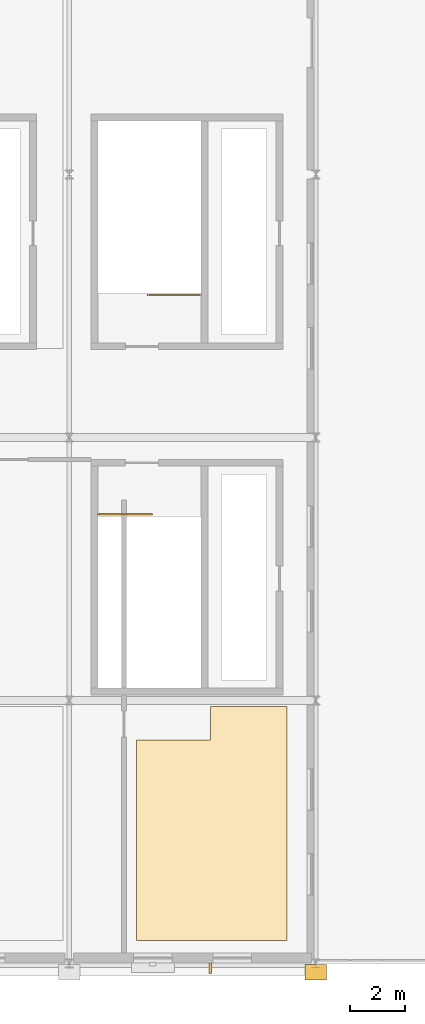
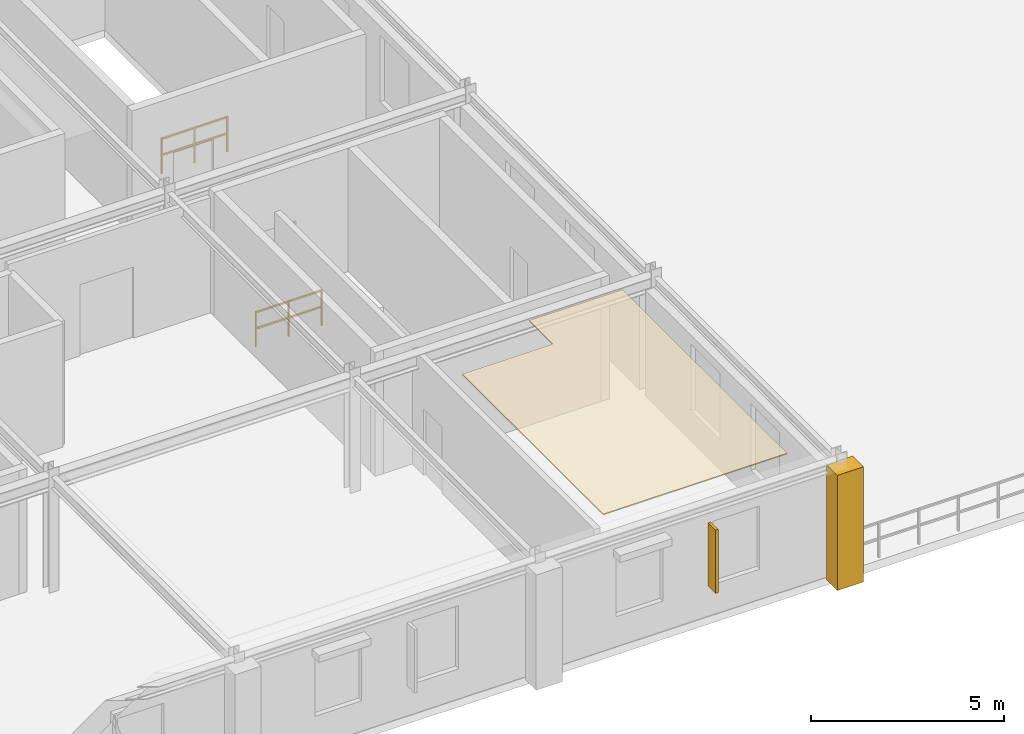
# One storey, part 46 of 52: 2 coverings, 2 railings, 1 shading device.
"""IFC4 building model written with IfcOpenShell, lengths in metres."""

from ifc_helpers import new_model, si_unit, direction, frame, origin, origin_2d, place, context, subcontext, project, spatial, polyline, rectangle, outline, extrude, material, layer, layer_set, type_object, element, save


model = new_model("IFC4")

# Units and contexts
model_context = context("Model", 3, precision=1e-05, world=origin(), true_north=direction((0.0, 1.0)))
body_context = subcontext(model_context, "Body", "Model", "MODEL_VIEW")
ifc_project = project(units=[si_unit("LENGTHUNIT", "METRE"), si_unit("AREAUNIT", "SQUARE_METRE"), si_unit("VOLUMEUNIT", "CUBIC_METRE"), si_unit("PLANEANGLEUNIT", "RADIAN"), si_unit("MASSUNIT", "GRAM", prefix="KILO")], contexts=[model_context])

# Site, building, storey
site_placement = place(None, origin())
site = spatial("IfcSite", under=ifc_project, at=site_placement, CompositionType="ELEMENT")
building_placement = place(site_placement, origin())
building = spatial("IfcBuilding", under=site, at=building_placement, Name="Myrtia Square Station", CompositionType="ELEMENT")
storey_placement = place(building_placement, frame((0.0, 0.0, 15.0)))
storey = spatial("IfcBuildingStorey", under=building, at=storey_placement, Name="L03", CompositionType="ELEMENT", Elevation=15.0)

# Coverings
ifc_material_1 = material(Name="Pentelic marble ashlar", Category="masonry")
ifc_layer_1 = layer(ifc_material_1, 0.4599609375, Name="Pentelic marble ashlar")
ifc_layer_set_1 = layer_set([ifc_layer_1], Name="Pentelic marble ashlar")
covering_type_1 = type_object("IfcCoveringType", Name="COV-ARCH-ASHLAR", PredefinedType="CLADDING", material=ifc_layer_set_1)
covering_1_placement = place(storey_placement, frame((144.0, -0.320068359375, -0.0400390625), z_axis=(0.0, 0.0, 1.0), x_axis=(1.0, 0.0, 0.0)))
element("IfcCovering", 1, at=covering_1_placement, inside=storey, type_object=covering_type_1, Name="Classical Pentelic ashlar pilaster 032", PredefinedType="CLADDING", context=body_context, shape_type="SweptSolid", body=[
    extrude(rectangle(XDim=0.780029296875, YDim=0.56005859375, at=origin_2d()), origin(), (0.0, 0.0, 1.0), 3.639892578125),
])
ifc_material_2 = material(Name="Gypsum plasterboard")
ifc_layer_2 = layer(ifc_material_2, 0.034912109375, Name="Gypsum plasterboard")
ifc_layer_set_2 = layer_set([ifc_layer_2], Name="Gypsum plasterboard")
covering_type_2 = type_object("IfcCoveringType", Name="COV-CEIL-ACOUSTIC", PredefinedType="CEILING", material=ifc_layer_set_2)
covering_2_placement = place(storey_placement, frame((0.0, 0.0, 3.6201171875)))
element("IfcCovering", 2, at=covering_2_placement, inside=storey, type_object=covering_type_2, Name="Acoustic coffer ceiling L03-10", PredefinedType="CEILING", context=body_context, shape_type="SweptSolid", body=[
    extrude(outline(polyline([(142.949951171875, 0.85009765625), (137.449951171875, 0.85009765625), (137.449951171875, 8.14990234375), (140.159912109375, 8.14990234375), (140.159912109375, 9.3798828125), (142.949951171875, 9.3798828125), (142.949951171875, 0.85009765625)])), origin(), (0.0, 0.0, 1.0), 0.034912109375),
])

# Railings
ifc_material_3 = material(Name="Wrought iron", Category="steel")
railing_type = type_object("IfcRailingType", Name="RL-INT-GUARD-1100", PredefinedType="BALUSTRADE", material=ifc_material_3)
railing_1_placement = place(storey_placement, frame((136.050048828125, 16.39990234375, 0.0)))
element("IfcRailing", 3, at=railing_1_placement, inside=storey, type_object=railing_type, Name="L03 ST06 top well guard 1", PredefinedType="BALUSTRADE", context=body_context, shape_type="SweptSolid", body=[
    extrude(rectangle(XDim=0.048095703125, YDim=0.048095703125, at=origin_2d()), frame((0.03466796875, 0.0, 1.09619140625), z_axis=(1.0, 0.0, 0.0), x_axis=(0.0, 1.0, 0.0)), (0.0, 0.0, 1.0), 0.91064453125),
    extrude(rectangle(XDim=0.048095703125, YDim=0.048095703125, at=origin_2d()), frame((0.03466796875, 0.0, 0.58251953125), z_axis=(1.0, 0.0, 0.0), x_axis=(0.0, 1.0, 0.0)), (0.0, 0.0, 1.0), 0.91064453125),
    extrude(rectangle(XDim=0.048095703125, YDim=0.048095703125, at=origin_2d()), frame((1.0146484375, 0.0, 1.09619140625), z_axis=(1.0, 0.0, 0.0), x_axis=(0.0, 1.0, 0.0)), (0.0, 0.0, 1.0), 0.91064453125),
    extrude(rectangle(XDim=0.048095703125, YDim=0.048095703125, at=origin_2d()), frame((1.0146484375, 0.0, 0.58251953125), z_axis=(1.0, 0.0, 0.0), x_axis=(0.0, 1.0, 0.0)), (0.0, 0.0, 1.0), 0.91064453125),
    extrude(rectangle(XDim=0.0439453125, YDim=0.0439453125, at=origin_2d()), origin(), (0.0, 0.0, 1.0), 1.1201171875),
    extrude(rectangle(XDim=0.0439453125, YDim=0.0439453125, at=origin_2d()), frame((0.97998046875, 0.0, 0.0)), (0.0, 0.0, 1.0), 1.1201171875),
    extrude(rectangle(XDim=0.0439453125, YDim=0.0439453125, at=origin_2d()), frame((1.9599609375, 0.0, 0.0)), (0.0, 0.0, 1.0), 1.1201171875),
])
railing_2_placement = place(storey_placement, frame((139.81005859375, 24.39990234375, 0.0)))
element("IfcRailing", 4, at=railing_2_placement, inside=storey, type_object=railing_type, Name="L03 ST09 top well guard 1", PredefinedType="BALUSTRADE", context=body_context, shape_type="SweptSolid", body=[
    extrude(rectangle(XDim=0.048095703125, YDim=0.048095703125, at=origin_2d()), frame((-0.03466796875, 0.0, 1.09619140625), z_axis=(-1.0, 0.0, 0.0), x_axis=(0.0, -1.0, 0.0)), (0.0, 0.0, 1.0), 0.91064453125),
    extrude(rectangle(XDim=0.048095703125, YDim=0.048095703125, at=origin_2d()), frame((-0.03466796875, 0.0, 0.58251953125), z_axis=(-1.0, 0.0, 0.0), x_axis=(0.0, -1.0, 0.0)), (0.0, 0.0, 1.0), 0.91064453125),
    extrude(rectangle(XDim=0.048095703125, YDim=0.048095703125, at=origin_2d()), frame((-1.0146484375, 0.0, 1.09619140625), z_axis=(-1.0, 0.0, 0.0), x_axis=(0.0, -1.0, 0.0)), (0.0, 0.0, 1.0), 0.91064453125),
    extrude(rectangle(XDim=0.048095703125, YDim=0.048095703125, at=origin_2d()), frame((-1.0146484375, 0.0, 0.58251953125), z_axis=(-1.0, 0.0, 0.0), x_axis=(0.0, -1.0, 0.0)), (0.0, 0.0, 1.0), 0.91064453125),
    extrude(rectangle(XDim=0.0439453125, YDim=0.0439453125, at=origin_2d()), origin(), (0.0, 0.0, 1.0), 1.1201171875),
    extrude(rectangle(XDim=0.0439453125, YDim=0.0439453125, at=origin_2d()), frame((-0.97998046875, 0.0, 0.0)), (0.0, 0.0, 1.0), 1.1201171875),
    extrude(rectangle(XDim=0.0439453125, YDim=0.0439453125, at=origin_2d()), frame((-1.9599609375, 0.0, 0.0)), (0.0, 0.0, 1.0), 1.1201171875),
])

# Shading device
ifc_material_4 = material(Name="Dark bronze anodised aluminium", Category="aluminium")
shading_device_type = type_object("IfcShadingDeviceType", Name="SHD-FIN-BRONZE", PredefinedType="USERDEFINED", material=ifc_material_4)
shading_device_placement = place(storey_placement, frame((140.14794921875, -0.169921875, 0.949951171875), z_axis=(0.0, 0.0, 1.0), x_axis=(1.0, 0.0, 0.0)))
element("IfcShadingDevice", 5, at=shading_device_placement, inside=storey, type_object=shading_device_type, Name="Vertical bronze solar fin SHF-026", ObjectType="FIN", PredefinedType="USERDEFINED", context=body_context, shape_type="SweptSolid", body=[
    extrude(rectangle(XDim=0.080078125, YDim=0.389892578125, at=origin_2d()), origin(), (0.0, 0.0, 1.0), 2.0),
])

save(model, "model.ifc")
